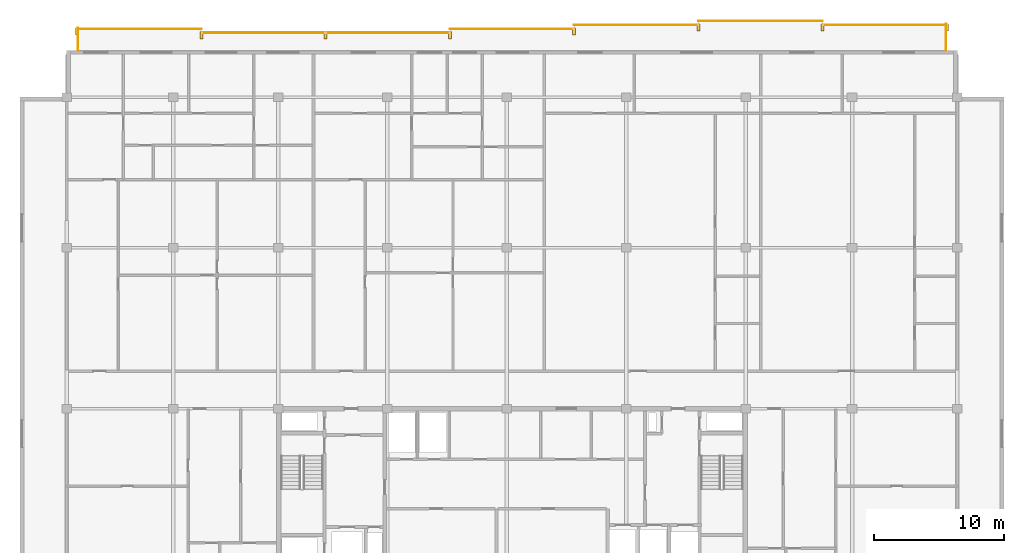
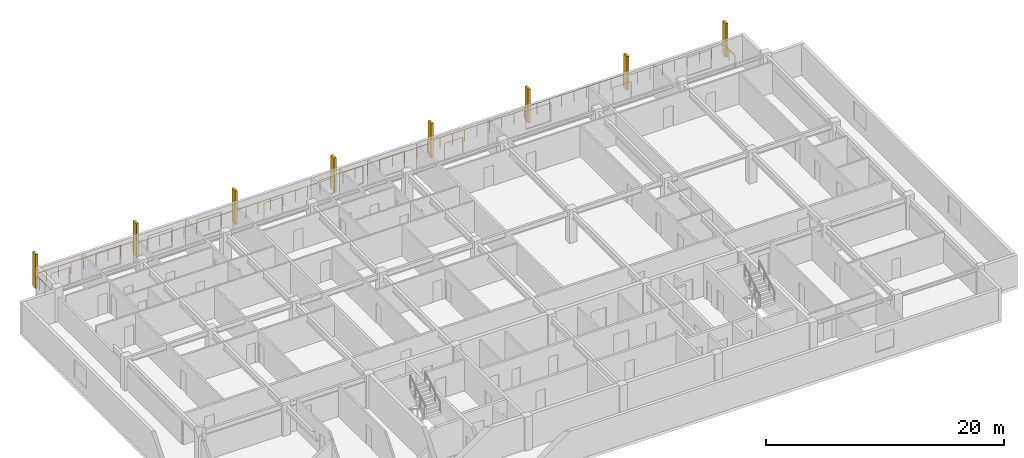
# One storey, part 11 of 11: 8 railings, 8 shading devices.
"""IFC4 building model written with IfcOpenShell, lengths in metres."""

import ifcopenshell
import ifcopenshell.guid

model = None  # the IFC model being written
_history = None  # IfcOwnerHistory: only IFC2X3 demands one
_inside = {}  # id of a spatial element -> (the spatial element, [elements in it])
_under = {}  # id of a project, library or spatial element -> (it, [spatial elements below it])
_declared = {}  # id of a project -> (the project, [libraries it declares])
_typed = {}  # id of a type object -> (the type object, [elements of that type])
_made_of = {}  # id of a material, layer set ... -> (it, [elements and type objects made of it])


def new_model(schema):
    """Start an empty IFC model of exactly this schema.

    Asked for "IFC4X3", IfcOpenShell would pick the latest addendum, in which some entities
    have other attributes; the version numbers below select the first issue.
    IFC2X3 requires an IfcOwnerHistory on every rooted entity: one is made here for all.
    """
    global model, _history
    if schema == "IFC4X3":
        model = ifcopenshell.file(schema_version=(4, 3, 0, 0))
    else:
        model = ifcopenshell.file(schema=schema)
    _inside.clear()
    _under.clear()
    _declared.clear()
    _typed.clear()
    _made_of.clear()
    _history = None
    if model.schema == "IFC2X3":
        org = make("IfcOrganization", Name="unknown")
        user = make(
            "IfcPersonAndOrganization",
            ThePerson=make("IfcPerson", FamilyName="unknown"),
            TheOrganization=org,
        )
        app = make(
            "IfcApplication",
            ApplicationDeveloper=org,
            Version="unknown",
            ApplicationFullName="unknown",
            ApplicationIdentifier="unknown",
        )
        _history = make(
            "IfcOwnerHistory",
            OwningUser=user,
            OwningApplication=app,
            ChangeAction="ADDED",
            CreationDate=0,
        )
    return model


def make(cls, **values):
    """One entity of the class cls with the attributes given. An attribute that is None is left unset."""
    return model.create_entity(
        cls, **{name: value for name, value in values.items() if value is not None}
    )


def rooted(cls, **values):
    """An entity with a GlobalId (a new one), such as an element, a storey or a relation."""
    return make(cls, GlobalId=ifcopenshell.guid.new(), OwnerHistory=_history, **values)


def si_unit(unit_type, name, prefix=None):
    """IfcSIUnit, for example si_unit("LENGTHUNIT", "METRE", prefix="MILLI")."""
    return make("IfcSIUnit", UnitType=unit_type, Prefix=prefix, Name=name)


def assignment(units):
    """IfcUnitAssignment: the units of a project."""
    return None if units is None else make("IfcUnitAssignment", Units=units)


def point(xyz):
    """IfcCartesianPoint."""
    return None if xyz is None else make("IfcCartesianPoint", Coordinates=xyz)


def direction(xyz):
    """IfcDirection."""
    return None if xyz is None else make("IfcDirection", DirectionRatios=xyz)


def frame(location, z_axis=None, x_axis=None):
    """IfcAxis2Placement3D, a coordinate frame: its origin and axes. An axis left out is left unset."""
    return make(
        "IfcAxis2Placement3D",
        Location=point(location),
        Axis=direction(z_axis),
        RefDirection=direction(x_axis),
    )


def frame_2d(location, x_axis=None):
    """IfcAxis2Placement2D, a coordinate frame in the plane: its origin and x axis."""
    return make(
        "IfcAxis2Placement2D", Location=point(location), RefDirection=direction(x_axis)
    )


def origin():
    """The frame at (0, 0, 0) with its axes left unset."""
    return frame((0.0, 0.0, 0.0))


def origin_2d():
    """The frame at (0, 0) in the plane with its x axis left unset."""
    return frame_2d((0.0, 0.0))


def place(relative_to, where):
    """IfcLocalPlacement: puts the frame where relative to a parent placement (None: the world)."""
    return make(
        "IfcLocalPlacement", PlacementRelTo=relative_to, RelativePlacement=where
    )


def context(
    kind, dimensions, precision=None, world=None, true_north=None, identifier=None
):
    """IfcGeometricRepresentationContext, for example the 3D "Model" context."""
    return make(
        "IfcGeometricRepresentationContext",
        ContextIdentifier=identifier,
        ContextType=kind,
        CoordinateSpaceDimension=dimensions,
        Precision=precision,
        WorldCoordinateSystem=world,
        TrueNorth=true_north,
    )


def subcontext(parent, identifier, kind, view, scale=None):
    """IfcGeometricRepresentationSubContext, for example "Body" below "Model"."""
    return make(
        "IfcGeometricRepresentationSubContext",
        ContextIdentifier=identifier,
        ContextType=kind,
        ParentContext=parent,
        TargetScale=scale,
        TargetView=view,
    )


def project(units=None, contexts=None):
    """IfcProject with its units and contexts."""
    return rooted(
        "IfcProject",
        Name="project",
        RepresentationContexts=contexts,
        UnitsInContext=assignment(units),
    )


def spatial(cls, under=None, at=None, **own):
    """A site, building, storey or space (cls), placed at a placement, below another one or the project."""
    s = rooted(cls, ObjectPlacement=at, **own)
    if under is not None:
        _under.setdefault(under.id(), (under, []))[1].append(s)
    return s


def profile(cls, at=None, kind="AREA", **sizes):
    """A parametric profile (cls). Its sizes go by their IFC names, for example OverallWidth=200.0."""
    return make(cls, ProfileType=kind, Position=at, **sizes)


def rectangle(**sizes):
    """IfcRectangleProfileDef."""
    return profile("IfcRectangleProfileDef", **sizes)


def circle(**sizes):
    """IfcCircleProfileDef."""
    return profile("IfcCircleProfileDef", **sizes)


def extrude(swept, where, along, depth):
    """IfcExtrudedAreaSolid: the profile swept, set in the frame where, extruded along a direction by depth."""
    return make(
        "IfcExtrudedAreaSolid",
        SweptArea=swept,
        Position=where,
        ExtrudedDirection=direction(along),
        Depth=depth,
    )


def shape(context_of_items, identifier, shape_type, items):
    """IfcShapeRepresentation: the items that make up one representation, for example the "Body"."""
    return make(
        "IfcShapeRepresentation",
        ContextOfItems=context_of_items,
        RepresentationIdentifier=identifier,
        RepresentationType=shape_type,
        Items=items,
    )


def material(Name=None, Category=None):
    """IfcMaterial."""
    return make("IfcMaterial", Name=Name, Category=Category)


def made_of(thing, what):
    """Note that an element or type object is made of a material, layer set ...; save() writes the relation."""
    if what is not None:
        _made_of.setdefault(what.id(), (what, []))[1].append(thing)
    return thing


def type_object(cls, material=None, **own):
    """A type object (cls), such as IfcWallType, which elements share."""
    return made_of(rooted(cls, **own), material)


def element(
    cls,
    number,
    at=None,
    inside=None,
    cuts=None,
    type_object=None,
    material=None,
    context=None,
    identifier="Body",
    shape_type=None,
    held_by="IfcProductDefinitionShape",
    body=None,
    shapes=None,
    **own,
):
    """One element of the class cls, such as IfcWall. Its Tag is "e" and its number.

    at: its placement. inside: the storey or other place that contains it. cuts: it is an
    opening in that element (IfcRelVoidsElement). A single representation is given by context,
    identifier, shape_type and body (its items); several are given by shapes. held_by: the class
    of the entity that holds the representations. save() writes the other relations.
    """
    e = rooted(cls, Tag="e%d" % number, ObjectPlacement=at, **own)
    if body is not None:
        shapes = [shape(context, identifier, shape_type, body)]
    if shapes is not None:
        e.Representation = make(held_by, Representations=shapes)
    if inside is not None:
        _inside.setdefault(inside.id(), (inside, []))[1].append(e)
    if cuts is not None:
        rooted(
            "IfcRelVoidsElement", RelatingBuildingElement=cuts, RelatedOpeningElement=e
        )
    if type_object is not None:
        _typed.setdefault(type_object.id(), (type_object, []))[1].append(e)
    return made_of(e, material)


def aggregate(whole, parts):
    """IfcRelAggregates: a whole, such as a stair, and the parts it consists of."""
    return rooted("IfcRelAggregates", RelatingObject=whole, RelatedObjects=parts)


def save(model, path):
    """Write the relations noted so far, then the file.

    IfcRelAggregates (storeys below a building ...), IfcRelContainedInSpatialStructure (elements
    in a storey), IfcRelDefinesByType, IfcRelAssociatesMaterial and IfcRelDeclares: one each for
    every whole, place, type object, material and project.
    """
    for whole, parts in _under.values():
        aggregate(whole, parts)
    for where, things in _inside.values():
        rooted(
            "IfcRelContainedInSpatialStructure",
            RelatedElements=things,
            RelatingStructure=where,
        )
    for kind, things in _typed.values():
        rooted("IfcRelDefinesByType", RelatedObjects=things, RelatingType=kind)
    for what, things in _made_of.values():
        rooted("IfcRelAssociatesMaterial", RelatedObjects=things, RelatingMaterial=what)
    for by, libraries in _declared.values():
        rooted("IfcRelDeclares", RelatingContext=by, RelatedDefinitions=libraries)
    model.write(path)


model = new_model("IFC4")

# Units and contexts
model_context = context("Model", 3, precision=1e-05, world=origin(), true_north=direction((0.0, 1.0)))
body_context = subcontext(model_context, "Body", "Model", "MODEL_VIEW")
ifc_project = project(units=[si_unit("LENGTHUNIT", "METRE"), si_unit("AREAUNIT", "SQUARE_METRE"), si_unit("VOLUMEUNIT", "CUBIC_METRE"), si_unit("PLANEANGLEUNIT", "RADIAN"), si_unit("MASSUNIT", "GRAM", prefix="KILO")], contexts=[model_context])

# Site, building, storey
site_placement = place(None, origin())
site = spatial("IfcSite", under=ifc_project, at=site_placement, CompositionType="ELEMENT")
building_placement = place(site_placement, origin())
building = spatial("IfcBuilding", under=site, at=building_placement, Name="Korimba Cascade Residences", CompositionType="ELEMENT")
storey_placement = place(building_placement, frame((0.0, 0.0, 249.35009765625)))
storey = spatial("IfcBuildingStorey", under=building, at=storey_placement, Name="L72", CompositionType="ELEMENT", Elevation=249.35009765625)

# Railings
ifc_material_1 = material(Name="Laminated Glass and Bronze Balustrade", Category="glass")
railing_type = type_object("IfcRailingType", Name="RLG-LOG-1150", PredefinedType="BALUSTRADE", material=ifc_material_1)
railing_1_placement = place(storey_placement, frame((127.52001953125, 94.800048828125, 0.0)))
element("IfcRailing", 1, at=railing_1_placement, inside=storey, type_object=railing_type, Name="L72 Perimeter Guardrail RLG-L72-T1-LOG-01", PredefinedType="BALUSTRADE", context=body_context, shape_type="SweptSolid", body=[
    extrude(circle(Radius=0.02392578125, at=origin_2d()), frame((0.0, 0.0, 1.1259765625), z_axis=(0.0, 1.0, 0.0), x_axis=(-1.0, 0.0, 0.0)), (0.0, 0.0, 1.0), 2.050048828125),
    extrude(circle(Radius=0.02099609375, at=origin_2d()), origin(), (0.0, 0.0, 1.0), 1.101806640625),
    extrude(circle(Radius=0.02099609375, at=origin_2d()), frame((0.0, 1.02490234375, 0.0)), (0.0, 0.0, 1.0), 1.101806640625),
    extrude(circle(Radius=0.02099609375, at=origin_2d()), frame((0.0, 2.050048828125, 0.0)), (0.0, 0.0, 1.0), 1.101806640625),
])
for number, where, name in (
    (2, (127.60009765625, 96.77001953125, 0.0), "L72 Perimeter Guardrail RLG-L72-T1-LOG-02"),
    (3, (118.028564453125, 97.070068359375, 0.0), "L72 Perimeter Guardrail RLG-L72-T1-LOG-03"),
):
    element("IfcRailing", number, at=place(storey_placement, frame(where)), inside=storey, type_object=railing_type, Name=name, PredefinedType="BALUSTRADE", context=body_context, shape_type="SweptSolid", body=[
        extrude(circle(Radius=0.02392578125, at=origin_2d()), frame((0.0, 0.0, 1.1259765625), z_axis=(-1.0, 0.0, 0.0), x_axis=(0.0, -1.0, 0.0)), (0.0, 0.0, 1.0), 9.571533203125),
        extrude(circle(Radius=0.02099609375, at=origin_2d()), origin(), (0.0, 0.0, 1.0), 1.101806640625),
        extrude(circle(Radius=0.02099609375, at=origin_2d()), frame((-1.196533203125, 0.0, 0.0)), (0.0, 0.0, 1.0), 1.101806640625),
        extrude(circle(Radius=0.02099609375, at=origin_2d()), frame((-2.392822265625, 0.0, 0.0)), (0.0, 0.0, 1.0), 1.101806640625),
        extrude(circle(Radius=0.02099609375, at=origin_2d()), frame((-3.58935546875, 0.0, 0.0)), (0.0, 0.0, 1.0), 1.101806640625),
        extrude(circle(Radius=0.02099609375, at=origin_2d()), frame((-4.78564453125, 0.0, 0.0)), (0.0, 0.0, 1.0), 1.101806640625),
        extrude(circle(Radius=0.02099609375, at=origin_2d()), frame((-5.982177734375, 0.0, 0.0)), (0.0, 0.0, 1.0), 1.101806640625),
        extrude(circle(Radius=0.02099609375, at=origin_2d()), frame((-7.1787109375, 0.0, 0.0)), (0.0, 0.0, 1.0), 1.101806640625),
        extrude(circle(Radius=0.02099609375, at=origin_2d()), frame((-8.375, 0.0, 0.0)), (0.0, 0.0, 1.0), 1.101806640625),
        extrude(circle(Radius=0.02099609375, at=origin_2d()), frame((-9.571533203125, 0.0, 0.0)), (0.0, 0.0, 1.0), 1.101806640625),
    ])
railing_2_placement = place(storey_placement, frame((108.45703125, 96.77001953125, 0.0)))
element("IfcRailing", 4, at=railing_2_placement, inside=storey, type_object=railing_type, Name="L72 Perimeter Guardrail RLG-L72-T1-LOG-04", PredefinedType="BALUSTRADE", context=body_context, shape_type="SweptSolid", body=[
    extrude(circle(Radius=0.02392578125, at=origin_2d()), frame((0.0, 0.0, 1.1259765625), z_axis=(-1.0, 0.0, 0.0), x_axis=(0.0, -1.0, 0.0)), (0.0, 0.0, 1.0), 9.5712890625),
    extrude(circle(Radius=0.02099609375, at=origin_2d()), origin(), (0.0, 0.0, 1.0), 1.101806640625),
    extrude(circle(Radius=0.02099609375, at=origin_2d()), frame((-1.1962890625, 0.0, 0.0)), (0.0, 0.0, 1.0), 1.101806640625),
    extrude(circle(Radius=0.02099609375, at=origin_2d()), frame((-2.392822265625, 0.0, 0.0)), (0.0, 0.0, 1.0), 1.101806640625),
    extrude(circle(Radius=0.02099609375, at=origin_2d()), frame((-3.58935546875, 0.0, 0.0)), (0.0, 0.0, 1.0), 1.101806640625),
    extrude(circle(Radius=0.02099609375, at=origin_2d()), frame((-4.78564453125, 0.0, 0.0)), (0.0, 0.0, 1.0), 1.101806640625),
    extrude(circle(Radius=0.02099609375, at=origin_2d()), frame((-5.98193359375, 0.0, 0.0)), (0.0, 0.0, 1.0), 1.101806640625),
    extrude(circle(Radius=0.02099609375, at=origin_2d()), frame((-7.178466796875, 0.0, 0.0)), (0.0, 0.0, 1.0), 1.101806640625),
    extrude(circle(Radius=0.02099609375, at=origin_2d()), frame((-8.375, 0.0, 0.0)), (0.0, 0.0, 1.0), 1.101806640625),
    extrude(circle(Radius=0.02099609375, at=origin_2d()), frame((-9.5712890625, 0.0, 0.0)), (0.0, 0.0, 1.0), 1.101806640625),
])
railing_3_placement = place(storey_placement, frame((98.8857421875, 96.469970703125, 0.0)))
element("IfcRailing", 5, at=railing_3_placement, inside=storey, type_object=railing_type, Name="L72 Perimeter Guardrail RLG-L72-T1-LOG-05", PredefinedType="BALUSTRADE", context=body_context, shape_type="SweptSolid", body=[
    extrude(circle(Radius=0.02392578125, at=origin_2d()), frame((0.0, 0.0, 1.1259765625), z_axis=(-1.0, 0.0, 0.0), x_axis=(0.0, -1.0, 0.0)), (0.0, 0.0, 1.0), 9.571533203125),
    extrude(circle(Radius=0.02099609375, at=origin_2d()), origin(), (0.0, 0.0, 1.0), 1.101806640625),
    extrude(circle(Radius=0.02099609375, at=origin_2d()), frame((-1.196533203125, 0.0, 0.0)), (0.0, 0.0, 1.0), 1.101806640625),
    extrude(circle(Radius=0.02099609375, at=origin_2d()), frame((-2.392822265625, 0.0, 0.0)), (0.0, 0.0, 1.0), 1.101806640625),
    extrude(circle(Radius=0.02099609375, at=origin_2d()), frame((-3.58935546875, 0.0, 0.0)), (0.0, 0.0, 1.0), 1.101806640625),
    extrude(circle(Radius=0.02099609375, at=origin_2d()), frame((-4.78564453125, 0.0, 0.0)), (0.0, 0.0, 1.0), 1.101806640625),
    extrude(circle(Radius=0.02099609375, at=origin_2d()), frame((-5.982177734375, 0.0, 0.0)), (0.0, 0.0, 1.0), 1.101806640625),
    extrude(circle(Radius=0.02099609375, at=origin_2d()), frame((-7.1787109375, 0.0, 0.0)), (0.0, 0.0, 1.0), 1.101806640625),
    extrude(circle(Radius=0.02099609375, at=origin_2d()), frame((-8.375, 0.0, 0.0)), (0.0, 0.0, 1.0), 1.101806640625),
    extrude(circle(Radius=0.02099609375, at=origin_2d()), frame((-9.571533203125, 0.0, 0.0)), (0.0, 0.0, 1.0), 1.101806640625),
])
railing_4_placement = place(storey_placement, frame((89.314208984375, 96.169921875, 0.0)))
element("IfcRailing", 6, at=railing_4_placement, inside=storey, type_object=railing_type, Name="L72 Perimeter Guardrail RLG-L72-T1-LOG-06", PredefinedType="BALUSTRADE", context=body_context, shape_type="SweptSolid", body=[
    extrude(circle(Radius=0.02392578125, at=origin_2d()), frame((0.0, 0.0, 1.1259765625), z_axis=(-1.0, 0.0, 0.0), x_axis=(0.0, -1.0, 0.0)), (0.0, 0.0, 1.0), 19.142822265625),
    extrude(circle(Radius=0.02099609375, at=origin_2d()), origin(), (0.0, 0.0, 1.0), 1.101806640625),
    extrude(circle(Radius=0.02099609375, at=origin_2d()), frame((-1.196533203125, 0.0, 0.0)), (0.0, 0.0, 1.0), 1.101806640625),
    extrude(circle(Radius=0.02099609375, at=origin_2d()), frame((-2.392822265625, 0.0, 0.0)), (0.0, 0.0, 1.0), 1.101806640625),
    extrude(circle(Radius=0.02099609375, at=origin_2d()), frame((-3.58935546875, 0.0, 0.0)), (0.0, 0.0, 1.0), 1.101806640625),
    extrude(circle(Radius=0.02099609375, at=origin_2d()), frame((-4.78564453125, 0.0, 0.0)), (0.0, 0.0, 1.0), 1.101806640625),
    extrude(circle(Radius=0.02099609375, at=origin_2d()), frame((-5.982177734375, 0.0, 0.0)), (0.0, 0.0, 1.0), 1.101806640625),
    extrude(circle(Radius=0.02099609375, at=origin_2d()), frame((-7.178466796875, 0.0, 0.0)), (0.0, 0.0, 1.0), 1.101806640625),
    extrude(circle(Radius=0.02099609375, at=origin_2d()), frame((-8.375, 0.0, 0.0)), (0.0, 0.0, 1.0), 1.101806640625),
    extrude(circle(Radius=0.02099609375, at=origin_2d()), frame((-9.5712890625, 0.0, 0.0)), (0.0, 0.0, 1.0), 1.101806640625),
    extrude(circle(Radius=0.02099609375, at=origin_2d()), frame((-10.767822265625, 0.0, 0.0)), (0.0, 0.0, 1.0), 1.101806640625),
    extrude(circle(Radius=0.02099609375, at=origin_2d()), frame((-11.96435546875, 0.0, 0.0)), (0.0, 0.0, 1.0), 1.101806640625),
    extrude(circle(Radius=0.02099609375, at=origin_2d()), frame((-13.16064453125, 0.0, 0.0)), (0.0, 0.0, 1.0), 1.101806640625),
    extrude(circle(Radius=0.02099609375, at=origin_2d()), frame((-14.357177734375, 0.0, 0.0)), (0.0, 0.0, 1.0), 1.101806640625),
    extrude(circle(Radius=0.02099609375, at=origin_2d()), frame((-15.553466796875, 0.0, 0.0)), (0.0, 0.0, 1.0), 1.101806640625),
    extrude(circle(Radius=0.02099609375, at=origin_2d()), frame((-16.75, 0.0, 0.0)), (0.0, 0.0, 1.0), 1.101806640625),
    extrude(circle(Radius=0.02099609375, at=origin_2d()), frame((-17.9462890625, 0.0, 0.0)), (0.0, 0.0, 1.0), 1.101806640625),
    extrude(circle(Radius=0.02099609375, at=origin_2d()), frame((-19.142822265625, 0.0, 0.0)), (0.0, 0.0, 1.0), 1.101806640625),
])
railing_5_placement = place(storey_placement, frame((70.17138671875, 96.469970703125, 0.0)))
element("IfcRailing", 7, at=railing_5_placement, inside=storey, type_object=railing_type, Name="L72 Perimeter Guardrail RLG-L72-T1-LOG-07", PredefinedType="BALUSTRADE", context=body_context, shape_type="SweptSolid", body=[
    extrude(circle(Radius=0.02392578125, at=origin_2d()), frame((0.0, 0.0, 1.1259765625), z_axis=(-1.0, 0.0, 0.0), x_axis=(0.0, -1.0, 0.0)), (0.0, 0.0, 1.0), 9.5712890625),
    extrude(circle(Radius=0.02099609375, at=origin_2d()), origin(), (0.0, 0.0, 1.0), 1.101806640625),
    extrude(circle(Radius=0.02099609375, at=origin_2d()), frame((-1.1962890625, 0.0, 0.0)), (0.0, 0.0, 1.0), 1.101806640625),
    extrude(circle(Radius=0.02099609375, at=origin_2d()), frame((-2.392822265625, 0.0, 0.0)), (0.0, 0.0, 1.0), 1.101806640625),
    extrude(circle(Radius=0.02099609375, at=origin_2d()), frame((-3.58935546875, 0.0, 0.0)), (0.0, 0.0, 1.0), 1.101806640625),
    extrude(circle(Radius=0.02099609375, at=origin_2d()), frame((-4.78564453125, 0.0, 0.0)), (0.0, 0.0, 1.0), 1.101806640625),
    extrude(circle(Radius=0.02099609375, at=origin_2d()), frame((-5.98193359375, 0.0, 0.0)), (0.0, 0.0, 1.0), 1.101806640625),
    extrude(circle(Radius=0.02099609375, at=origin_2d()), frame((-7.178466796875, 0.0, 0.0)), (0.0, 0.0, 1.0), 1.101806640625),
    extrude(circle(Radius=0.02099609375, at=origin_2d()), frame((-8.375, 0.0, 0.0)), (0.0, 0.0, 1.0), 1.101806640625),
    extrude(circle(Radius=0.02099609375, at=origin_2d()), frame((-9.5712890625, 0.0, 0.0)), (0.0, 0.0, 1.0), 1.101806640625),
])
railing_6_placement = place(storey_placement, frame((60.679931640625, 96.550048828125, 0.0)))
element("IfcRailing", 8, at=railing_6_placement, inside=storey, type_object=railing_type, Name="L72 Perimeter Guardrail RLG-L72-T1-LOG-08", PredefinedType="BALUSTRADE", context=body_context, shape_type="SweptSolid", body=[
    extrude(circle(Radius=0.02392578125, at=origin_2d()), frame((0.0, 0.0, 1.1259765625), z_axis=(0.0, -1.0, 0.0), x_axis=(1.0, 0.0, 0.0)), (0.0, 0.0, 1.0), 1.75),
    extrude(circle(Radius=0.02099609375, at=origin_2d()), origin(), (0.0, 0.0, 1.0), 1.101806640625),
    extrude(circle(Radius=0.02099609375, at=origin_2d()), frame((0.0, -0.875, 0.0)), (0.0, 0.0, 1.0), 1.101806640625),
    extrude(circle(Radius=0.02099609375, at=origin_2d()), frame((0.0, -1.75, 0.0)), (0.0, 0.0, 1.0), 1.101806640625),
])

# Shading devices
ifc_material_2 = material(Name="Honed Sandstone Precast Fin", Category="masonry")
shading_device_type = type_object("IfcShadingDeviceType", Name="SHD-FIN-550", PredefinedType="USERDEFINED", material=ifc_material_2)
for number, where, z_axis, x_axis, name in (
    (9, (60.60009765625, 96.27490234375, 0.0), (0.0, 0.0, 1.0), (1.0, 0.0, 0.0), "L72 T1 Warm-Stone Loggia Fin 1"),
    (10, (70.17138671875, 95.97509765625, 0.0), (0.0, 0.0, 1.0), (1.0, 0.0, 0.0), "L72 T1 Warm-Stone Loggia Fin 2"),
    (11, (79.742919921875, 95.97509765625, 0.0), (0.0, 0.0, 1.0), (1.0, 0.0, 0.0), "L72 T1 Warm-Stone Loggia Fin 3"),
    (12, (89.314208984375, 95.97509765625, 0.0), (0.0, 0.0, 1.0), (1.0, 0.0, 0.0), "L72 T1 Warm-Stone Loggia Fin 4"),
    (13, (98.8857421875, 96.27490234375, 0.0), (0.0, 0.0, 1.0), (1.0, 0.0, 0.0), "L72 T1 Warm-Stone Loggia Fin 5"),
    (14, (108.45703125, 96.574951171875, 0.0), (0.0, 0.0, 1.0), (1.0, 0.0, 0.0), "L72 T1 Warm-Stone Loggia Fin 6"),
    (15, (118.028564453125, 96.574951171875, 0.0), (0.0, 0.0, 1.0), (1.0, 0.0, 0.0), "L72 T1 Warm-Stone Loggia Fin 7"),
    (16, (127.60009765625, 96.574951171875, 0.0), (0.0, 0.0, 1.0), (1.0, 0.0, 0.0), "L72 T1 Warm-Stone Loggia Fin 8"),
):
    element("IfcShadingDevice", number, at=place(storey_placement, frame(where, z_axis=z_axis, x_axis=x_axis)), inside=storey, type_object=shading_device_type, Name=name, ObjectType="FIN", PredefinedType="USERDEFINED", context=body_context, shape_type="SweptSolid", body=[
        extrude(rectangle(XDim=0.219970703125, YDim=0.550048828125, at=origin_2d()), origin(), (0.0, 0.0, 1.0), 3.449951171875),
    ])

save(model, "model.ifc")
